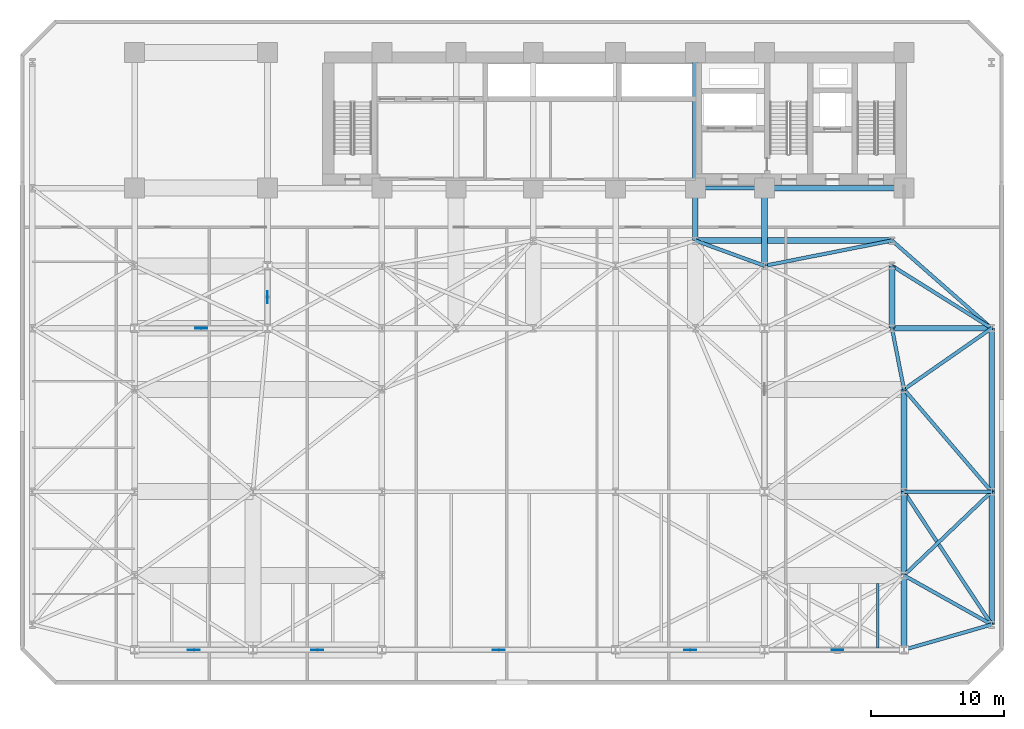
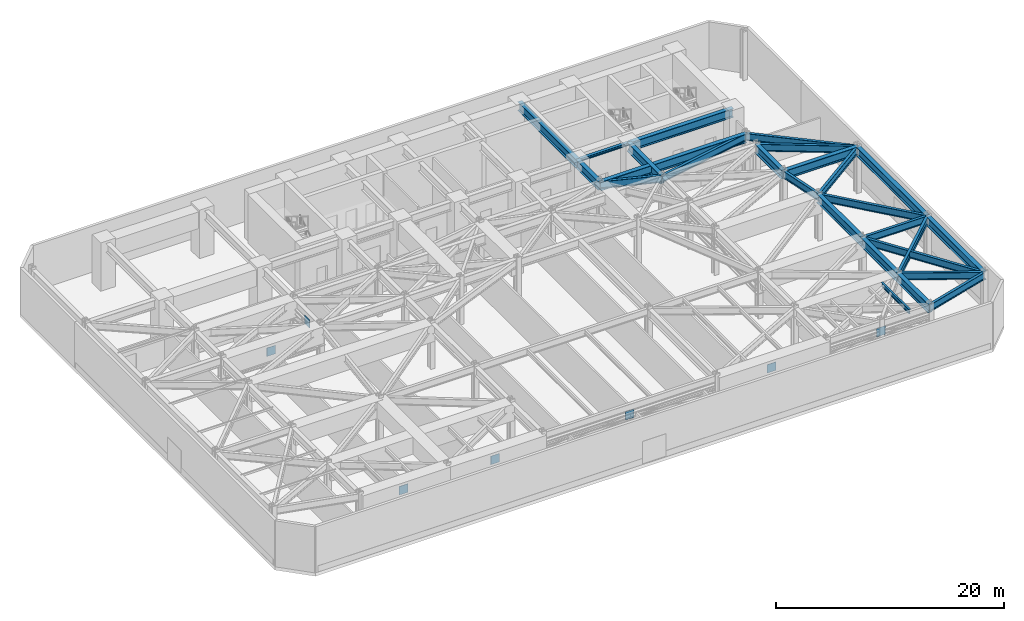
# One storey, part 4 of 14: 26 beams, 7 plates.
"""IFC4 building model written with IfcOpenShell, lengths in metres."""

import ifcopenshell
import ifcopenshell.guid

model = None  # the IFC model being written
_history = None  # IfcOwnerHistory: only IFC2X3 demands one
_inside = {}  # id of a spatial element -> (the spatial element, [elements in it])
_under = {}  # id of a project, library or spatial element -> (it, [spatial elements below it])
_declared = {}  # id of a project -> (the project, [libraries it declares])
_typed = {}  # id of a type object -> (the type object, [elements of that type])
_made_of = {}  # id of a material, layer set ... -> (it, [elements and type objects made of it])


def new_model(schema):
    """Start an empty IFC model of exactly this schema.

    Asked for "IFC4X3", IfcOpenShell would pick the latest addendum, in which some entities
    have other attributes; the version numbers below select the first issue.
    IFC2X3 requires an IfcOwnerHistory on every rooted entity: one is made here for all.
    """
    global model, _history
    if schema == "IFC4X3":
        model = ifcopenshell.file(schema_version=(4, 3, 0, 0))
    else:
        model = ifcopenshell.file(schema=schema)
    _inside.clear()
    _under.clear()
    _declared.clear()
    _typed.clear()
    _made_of.clear()
    _history = None
    if model.schema == "IFC2X3":
        org = make("IfcOrganization", Name="unknown")
        user = make(
            "IfcPersonAndOrganization",
            ThePerson=make("IfcPerson", FamilyName="unknown"),
            TheOrganization=org,
        )
        app = make(
            "IfcApplication",
            ApplicationDeveloper=org,
            Version="unknown",
            ApplicationFullName="unknown",
            ApplicationIdentifier="unknown",
        )
        _history = make(
            "IfcOwnerHistory",
            OwningUser=user,
            OwningApplication=app,
            ChangeAction="ADDED",
            CreationDate=0,
        )
    return model


def make(cls, **values):
    """One entity of the class cls with the attributes given. An attribute that is None is left unset."""
    return model.create_entity(
        cls, **{name: value for name, value in values.items() if value is not None}
    )


def rooted(cls, **values):
    """An entity with a GlobalId (a new one), such as an element, a storey or a relation."""
    return make(cls, GlobalId=ifcopenshell.guid.new(), OwnerHistory=_history, **values)


def si_unit(unit_type, name, prefix=None):
    """IfcSIUnit, for example si_unit("LENGTHUNIT", "METRE", prefix="MILLI")."""
    return make("IfcSIUnit", UnitType=unit_type, Prefix=prefix, Name=name)


def assignment(units):
    """IfcUnitAssignment: the units of a project."""
    return None if units is None else make("IfcUnitAssignment", Units=units)


def point(xyz):
    """IfcCartesianPoint."""
    return None if xyz is None else make("IfcCartesianPoint", Coordinates=xyz)


def direction(xyz):
    """IfcDirection."""
    return None if xyz is None else make("IfcDirection", DirectionRatios=xyz)


def frame(location, z_axis=None, x_axis=None):
    """IfcAxis2Placement3D, a coordinate frame: its origin and axes. An axis left out is left unset."""
    return make(
        "IfcAxis2Placement3D",
        Location=point(location),
        Axis=direction(z_axis),
        RefDirection=direction(x_axis),
    )


def frame_2d(location, x_axis=None):
    """IfcAxis2Placement2D, a coordinate frame in the plane: its origin and x axis."""
    return make(
        "IfcAxis2Placement2D", Location=point(location), RefDirection=direction(x_axis)
    )


def origin():
    """The frame at (0, 0, 0) with its axes left unset."""
    return frame((0.0, 0.0, 0.0))


def origin_2d():
    """The frame at (0, 0) in the plane with its x axis left unset."""
    return frame_2d((0.0, 0.0))


def place(relative_to, where):
    """IfcLocalPlacement: puts the frame where relative to a parent placement (None: the world)."""
    return make(
        "IfcLocalPlacement", PlacementRelTo=relative_to, RelativePlacement=where
    )


def context(
    kind, dimensions, precision=None, world=None, true_north=None, identifier=None
):
    """IfcGeometricRepresentationContext, for example the 3D "Model" context."""
    return make(
        "IfcGeometricRepresentationContext",
        ContextIdentifier=identifier,
        ContextType=kind,
        CoordinateSpaceDimension=dimensions,
        Precision=precision,
        WorldCoordinateSystem=world,
        TrueNorth=true_north,
    )


def subcontext(parent, identifier, kind, view, scale=None):
    """IfcGeometricRepresentationSubContext, for example "Body" below "Model"."""
    return make(
        "IfcGeometricRepresentationSubContext",
        ContextIdentifier=identifier,
        ContextType=kind,
        ParentContext=parent,
        TargetScale=scale,
        TargetView=view,
    )


def project(units=None, contexts=None):
    """IfcProject with its units and contexts."""
    return rooted(
        "IfcProject",
        Name="project",
        RepresentationContexts=contexts,
        UnitsInContext=assignment(units),
    )


def spatial(cls, under=None, at=None, **own):
    """A site, building, storey or space (cls), placed at a placement, below another one or the project."""
    s = rooted(cls, ObjectPlacement=at, **own)
    if under is not None:
        _under.setdefault(under.id(), (under, []))[1].append(s)
    return s


def profile(cls, at=None, kind="AREA", **sizes):
    """A parametric profile (cls). Its sizes go by their IFC names, for example OverallWidth=200.0."""
    return make(cls, ProfileType=kind, Position=at, **sizes)


def rectangle(**sizes):
    """IfcRectangleProfileDef."""
    return profile("IfcRectangleProfileDef", **sizes)


def i_section(**sizes):
    """IfcIShapeProfileDef."""
    return profile("IfcIShapeProfileDef", **sizes)


def extrude(swept, where, along, depth):
    """IfcExtrudedAreaSolid: the profile swept, set in the frame where, extruded along a direction by depth."""
    return make(
        "IfcExtrudedAreaSolid",
        SweptArea=swept,
        Position=where,
        ExtrudedDirection=direction(along),
        Depth=depth,
    )


def shape(context_of_items, identifier, shape_type, items):
    """IfcShapeRepresentation: the items that make up one representation, for example the "Body"."""
    return make(
        "IfcShapeRepresentation",
        ContextOfItems=context_of_items,
        RepresentationIdentifier=identifier,
        RepresentationType=shape_type,
        Items=items,
    )


def material(Name=None, Category=None):
    """IfcMaterial."""
    return make("IfcMaterial", Name=Name, Category=Category)


def layer(
    of_material, thickness, ventilated=None, Name=None, Category=None, Priority=None
):
    """IfcMaterialLayer: one layer of a wall or slab, of a material (None: an air gap)."""
    return make(
        "IfcMaterialLayer",
        Material=of_material,
        LayerThickness=thickness,
        IsVentilated=ventilated,
        Name=Name,
        Category=Category,
        Priority=Priority,
    )


def layer_set(layers, Name=None):
    """IfcMaterialLayerSet."""
    return make("IfcMaterialLayerSet", MaterialLayers=layers, LayerSetName=Name)


def material_profile(
    of_material, cross_section, Name=None, Category=None, Priority=None
):
    """IfcMaterialProfile: a cross section and its material."""
    return make(
        "IfcMaterialProfile",
        Name=Name,
        Material=of_material,
        Profile=cross_section,
        Priority=Priority,
        Category=Category,
    )


def profile_set(profiles, Name=None, composite=None):
    """IfcMaterialProfileSet."""
    return make(
        "IfcMaterialProfileSet",
        Name=Name,
        MaterialProfiles=profiles,
        CompositeProfile=composite,
    )


def made_of(thing, what):
    """Note that an element or type object is made of a material, layer set ...; save() writes the relation."""
    if what is not None:
        _made_of.setdefault(what.id(), (what, []))[1].append(thing)
    return thing


def type_object(cls, material=None, **own):
    """A type object (cls), such as IfcWallType, which elements share."""
    return made_of(rooted(cls, **own), material)


def element(
    cls,
    number,
    at=None,
    inside=None,
    cuts=None,
    type_object=None,
    material=None,
    context=None,
    identifier="Body",
    shape_type=None,
    held_by="IfcProductDefinitionShape",
    body=None,
    shapes=None,
    **own,
):
    """One element of the class cls, such as IfcWall. Its Tag is "e" and its number.

    at: its placement. inside: the storey or other place that contains it. cuts: it is an
    opening in that element (IfcRelVoidsElement). A single representation is given by context,
    identifier, shape_type and body (its items); several are given by shapes. held_by: the class
    of the entity that holds the representations. save() writes the other relations.
    """
    e = rooted(cls, Tag="e%d" % number, ObjectPlacement=at, **own)
    if body is not None:
        shapes = [shape(context, identifier, shape_type, body)]
    if shapes is not None:
        e.Representation = make(held_by, Representations=shapes)
    if inside is not None:
        _inside.setdefault(inside.id(), (inside, []))[1].append(e)
    if cuts is not None:
        rooted(
            "IfcRelVoidsElement", RelatingBuildingElement=cuts, RelatedOpeningElement=e
        )
    if type_object is not None:
        _typed.setdefault(type_object.id(), (type_object, []))[1].append(e)
    return made_of(e, material)


def aggregate(whole, parts):
    """IfcRelAggregates: a whole, such as a stair, and the parts it consists of."""
    return rooted("IfcRelAggregates", RelatingObject=whole, RelatedObjects=parts)


def save(model, path):
    """Write the relations noted so far, then the file.

    IfcRelAggregates (storeys below a building ...), IfcRelContainedInSpatialStructure (elements
    in a storey), IfcRelDefinesByType, IfcRelAssociatesMaterial and IfcRelDeclares: one each for
    every whole, place, type object, material and project.
    """
    for whole, parts in _under.values():
        aggregate(whole, parts)
    for where, things in _inside.values():
        rooted(
            "IfcRelContainedInSpatialStructure",
            RelatedElements=things,
            RelatingStructure=where,
        )
    for kind, things in _typed.values():
        rooted("IfcRelDefinesByType", RelatedObjects=things, RelatingType=kind)
    for what, things in _made_of.values():
        rooted("IfcRelAssociatesMaterial", RelatedObjects=things, RelatingMaterial=what)
    for by, libraries in _declared.values():
        rooted("IfcRelDeclares", RelatingContext=by, RelatedDefinitions=libraries)
    model.write(path)


model = new_model("IFC4")

# Units and contexts
model_context = context("Model", 3, precision=1e-05, world=origin(), true_north=direction((0.0, 1.0)))
body_context = subcontext(model_context, "Body", "Model", "MODEL_VIEW")
ifc_project = project(units=[si_unit("LENGTHUNIT", "METRE"), si_unit("AREAUNIT", "SQUARE_METRE"), si_unit("VOLUMEUNIT", "CUBIC_METRE"), si_unit("PLANEANGLEUNIT", "RADIAN"), si_unit("MASSUNIT", "GRAM", prefix="KILO")], contexts=[model_context])

# Site, building, storey
site_placement = place(None, origin())
site = spatial("IfcSite", under=ifc_project, at=site_placement, CompositionType="ELEMENT")
building_placement = place(site_placement, origin())
building = spatial("IfcBuilding", under=site, at=building_placement, Name="Kravanh Interchange Tower", CompositionType="ELEMENT")
storey_placement = place(building_placement, frame((0.0, 0.0, 24.300048828125)))
storey = spatial("IfcBuildingStorey", under=building, at=storey_placement, Name="L05", CompositionType="ELEMENT", Elevation=24.300048828125)

# Beams
ifc_material_1 = material(Name="Structural Steel S450", Category="steel")
ifc_material_profile_1 = material_profile(ifc_material_1, i_section(OverallWidth=0.423095703125, OverallDepth=0.947998046875, WebThickness=0.02392578125, FlangeThickness=0.042724609375, FilletRadius=0.028076171875, at=origin_2d()), Name="W36X302")
ifc_profile_set_1 = profile_set([ifc_material_profile_1], Name="Structural Steel S450")
beam_type_1 = type_object("IfcBeamType", Name="Floor Beam W36X302 Structural Steel S450", PredefinedType="BEAM", material=ifc_profile_set_1)
beam_1_placement = place(storey_placement, frame((66.5, 2.60009765625, 4.466064453125), z_axis=(0.0, 1.0, 0.0), x_axis=(-1.0, 0.0, 0.0)))
element("IfcBeam", 1, at=beam_1_placement, inside=storey, type_object=beam_type_1, Name="L05 Primary Floor Girder 20", PredefinedType="BEAM", context=body_context, shape_type="SweptSolid", body=[
    extrude(i_section(OverallWidth=0.423095703125, OverallDepth=0.947998046875, WebThickness=0.02392578125, FlangeThickness=0.042724609375, FilletRadius=0.028076171875, at=origin_2d()), origin(), (0.0, 0.0, 1.0), 5.599853515625),
])
beam_2_placement = place(storey_placement, frame((66.5, 8.199951171875, 4.466064453125), z_axis=(0.0, 1.0, 0.0), x_axis=(-1.0, 0.0, 0.0)))
element("IfcBeam", 2, at=beam_2_placement, inside=storey, type_object=beam_type_1, Name="L05 Primary Floor Girder 33", PredefinedType="BEAM", context=body_context, shape_type="SweptSolid", body=[
    extrude(i_section(OverallWidth=0.423095703125, OverallDepth=0.947998046875, WebThickness=0.02392578125, FlangeThickness=0.042724609375, FilletRadius=0.028076171875, at=origin_2d()), origin(), (0.0, 0.0, 1.0), 6.300048828125),
])
beam_3_placement = place(storey_placement, frame((66.5, 14.5, 4.466064453125), z_axis=(0.0, 1.0, 0.0), x_axis=(-1.0, 0.0, 0.0)))
element("IfcBeam", 3, at=beam_3_placement, inside=storey, type_object=beam_type_1, Name="L05 Primary Floor Girder 54", PredefinedType="BEAM", context=body_context, shape_type="SweptSolid", body=[
    extrude(i_section(OverallWidth=0.423095703125, OverallDepth=0.947998046875, WebThickness=0.02392578125, FlangeThickness=0.042724609375, FilletRadius=0.028076171875, at=origin_2d()), origin(), (0.0, 0.0, 1.0), 7.699951171875),
])
beam_4_placement = place(storey_placement, frame((65.60009765625, 26.800048828125, 4.466064453125), z_axis=(0.0, 1.0, 0.0), x_axis=(-1.0, 0.0, 0.0)))
element("IfcBeam", 4, at=beam_4_placement, inside=storey, type_object=beam_type_1, Name="L05 Primary Floor Girder 101", PredefinedType="BEAM", context=body_context, shape_type="SweptSolid", body=[
    extrude(i_section(OverallWidth=0.423095703125, OverallDepth=0.947998046875, WebThickness=0.02392578125, FlangeThickness=0.042724609375, FilletRadius=0.028076171875, at=origin_2d()), origin(), (0.0, 0.0, 1.0), 4.699951171875),
])
beam_5_placement = place(storey_placement, frame((65.60009765625, 26.800048828125, 4.466064453125), z_axis=(1.0, 0.0, 0.0), x_axis=(0.0, 1.0, 0.0)))
element("IfcBeam", 5, at=beam_5_placement, inside=storey, type_object=beam_type_1, Name="L05 Primary Floor Girder 102", PredefinedType="BEAM", context=body_context, shape_type="SweptSolid", body=[
    extrude(i_section(OverallWidth=0.423095703125, OverallDepth=0.947998046875, WebThickness=0.02392578125, FlangeThickness=0.042724609375, FilletRadius=0.028076171875, at=origin_2d()), origin(), (0.0, 0.0, 1.0), 7.5),
])
beam_6_placement = place(storey_placement, frame((56.0, 31.5, 4.466064453125), z_axis=(0.0, 1.0, 0.0), x_axis=(-1.0, 0.0, 0.0)))
element("IfcBeam", 6, at=beam_6_placement, inside=storey, type_object=beam_type_1, Name="L05 Primary Floor Girder 118", PredefinedType="BEAM", context=body_context, shape_type="SweptSolid", body=[
    extrude(i_section(OverallWidth=0.423095703125, OverallDepth=0.947998046875, WebThickness=0.02392578125, FlangeThickness=0.042724609375, FilletRadius=0.028076171875, at=origin_2d()), origin(), (0.0, 0.0, 1.0), 5.85009765625),
])
beam_7_placement = place(storey_placement, frame((73.10009765625, 4.5, 4.466064453125), z_axis=(0.0, 1.0, 0.0), x_axis=(-1.0, 0.0, 0.0)))
element("IfcBeam", 7, at=beam_7_placement, inside=storey, type_object=beam_type_1, Name="L05 Primary Floor Girder 127", PredefinedType="BEAM", context=body_context, shape_type="SweptSolid", body=[
    extrude(i_section(OverallWidth=0.423095703125, OverallDepth=0.947998046875, WebThickness=0.02392578125, FlangeThickness=0.042724609375, FilletRadius=0.028076171875, at=origin_2d()), origin(), (0.0, 0.0, 1.0), 10.0),
])
beam_8_placement = place(storey_placement, frame((73.10009765625, 14.5, 4.466064453125), z_axis=(0.0, 1.0, 0.0), x_axis=(-1.0, 0.0, 0.0)))
element("IfcBeam", 8, at=beam_8_placement, inside=storey, type_object=beam_type_1, Name="L05 Primary Floor Girder 128", PredefinedType="BEAM", context=body_context, shape_type="SweptSolid", body=[
    extrude(i_section(OverallWidth=0.423095703125, OverallDepth=0.947998046875, WebThickness=0.02392578125, FlangeThickness=0.042724609375, FilletRadius=0.028076171875, at=origin_2d()), origin(), (0.0, 0.0, 1.0), 12.300048828125),
])
beam_9_placement = place(storey_placement, frame((50.800048828125, 33.39990234375, 4.466064453125), z_axis=(0.0, 1.0, 0.0), x_axis=(-1.0, 0.0, 0.0)))
element("IfcBeam", 9, at=beam_9_placement, inside=storey, type_object=beam_type_1, Name="L05 Primary Floor Girder 132", PredefinedType="BEAM", context=body_context, shape_type="SweptSolid", body=[
    extrude(i_section(OverallWidth=0.423095703125, OverallDepth=0.947998046875, WebThickness=0.02392578125, FlangeThickness=0.042724609375, FilletRadius=0.028076171875, at=origin_2d()), origin(), (0.0, 0.0, 1.0), 3.9501953125),
])
beam_10_placement = place(storey_placement, frame((50.800048828125, 33.39990234375, 4.466064453125), z_axis=(1.0, 0.0, 0.0), x_axis=(0.0, 1.0, 0.0)))
element("IfcBeam", 10, at=beam_10_placement, inside=storey, type_object=beam_type_1, Name="L05 Primary Floor Girder 133", PredefinedType="BEAM", context=body_context, shape_type="SweptSolid", body=[
    extrude(i_section(OverallWidth=0.423095703125, OverallDepth=0.947998046875, WebThickness=0.02392578125, FlangeThickness=0.042724609375, FilletRadius=0.028076171875, at=origin_2d()), origin(), (0.0, 0.0, 1.0), 14.800048828125),
])
beam_11_placement = place(storey_placement, frame((66.5, 37.35009765625, 4.466064453125), z_axis=(-1.0, 0.0, 0.0), x_axis=(0.0, -1.0, 0.0)))
element("IfcBeam", 11, at=beam_11_placement, inside=storey, type_object=beam_type_1, Name="L05 Primary Floor Girder 138", PredefinedType="BEAM", context=body_context, shape_type="SweptSolid", body=[
    extrude(i_section(OverallWidth=0.423095703125, OverallDepth=0.947998046875, WebThickness=0.02392578125, FlangeThickness=0.042724609375, FilletRadius=0.028076171875, at=origin_2d()), origin(), (0.0, 0.0, 1.0), 10.5),
])
beam_12_placement = place(storey_placement, frame((50.800048828125, 47.550048828125, 4.466064453125), z_axis=(0.0, -1.0, 0.0), x_axis=(1.0, 0.0, 0.0)))
element("IfcBeam", 12, at=beam_12_placement, inside=storey, type_object=beam_type_1, Name="L05 Primary Floor Girder 141", PredefinedType="BEAM", context=body_context, shape_type="SweptSolid", body=[
    extrude(i_section(OverallWidth=0.423095703125, OverallDepth=0.947998046875, WebThickness=0.02392578125, FlangeThickness=0.042724609375, FilletRadius=0.028076171875, at=origin_2d()), origin(), (0.0, 0.0, 1.0), 10.199951171875),
])
ifc_material_2 = material(Name="Structural Steel S355", Category="steel")
ifc_material_profile_2 = material_profile(ifc_material_2, i_section(OverallWidth=0.18994140625, OverallDepth=0.45703125, WebThickness=0.009033203125, FlangeThickness=0.014404296875, FilletRadius=0.01806640625, at=origin_2d()), Name="W18X50")
ifc_profile_set_2 = profile_set([ifc_material_profile_2], Name="Structural Steel S355")
beam_type_2 = type_object("IfcBeamType", Name="Floor Joist W18X50 Structural Steel S355", PredefinedType="JOIST", material=ifc_profile_set_2)
beam_13_placement = place(storey_placement, frame((64.51806640625, 2.728515625, 4.71142578125), z_axis=(0.0, 1.0, 0.0), x_axis=(-1.0, 0.0, 0.0)))
element("IfcBeam", 13, at=beam_13_placement, inside=storey, type_object=beam_type_2, Name="L05 Secondary Floor Joist 12", PredefinedType="JOIST", context=body_context, shape_type="SweptSolid", body=[
    extrude(i_section(OverallWidth=0.18994140625, OverallDepth=0.45703125, WebThickness=0.009033203125, FlangeThickness=0.014404296875, FilletRadius=0.01806640625, at=origin_2d()), origin(), (0.0, 0.0, 1.0), 4.87646484375),
])
ifc_material_3 = material(Name="Structural Steel S355", Category="steel")
ifc_material_profile_3 = material_profile(ifc_material_3, i_section(OverallWidth=0.304931640625, OverallDepth=0.306884765625, WebThickness=0.010009765625, FlangeThickness=0.015380859375, FilletRadius=0.014892578125, at=origin_2d()), Name="W12X65")
ifc_profile_set_3 = profile_set([ifc_material_profile_3], Name="Structural Steel S355")
beam_type_3 = type_object("IfcBeamType", Name="Floor Lintel W12X65 Structural Steel S355", PredefinedType="LINTEL", material=ifc_profile_set_3)
beam_14_placement = place(storey_placement, frame((50.800048828125, 37.35009765625, 4.786376953125), z_axis=(1.0, 0.0, 0.0), x_axis=(0.0, 1.0, 0.0)))
element("IfcBeam", 14, at=beam_14_placement, inside=storey, type_object=beam_type_3, Name="L05 Core Coupling Lintel 1", PredefinedType="LINTEL", context=body_context, shape_type="SweptSolid", body=[
    extrude(i_section(OverallWidth=0.304931640625, OverallDepth=0.306884765625, WebThickness=0.010009765625, FlangeThickness=0.015380859375, FilletRadius=0.014892578125, at=origin_2d()), origin(), (0.0, 0.0, 1.0), 5.199951171875),
])
ifc_material_4 = material(Name="Structural Steel S355", Category="steel")
ifc_material_profile_4 = material_profile(ifc_material_4, i_section(OverallWidth=0.26708984375, OverallDepth=0.761962890625, WebThickness=0.014404296875, FlangeThickness=0.021484375, FilletRadius=0.02490234375, at=origin_2d()), Name="W30X116")
ifc_profile_set_4 = profile_set([ifc_material_profile_4], Name="Structural Steel S355")
beam_type_4 = type_object("IfcBeamType", Name="Floor Spandrel W30X116 Structural Steel S355", PredefinedType="SPANDREL", material=ifc_profile_set_4)
beam_15_placement = place(storey_placement, frame((66.5, 2.60009765625, 4.558837890625), z_axis=(0.960977451506, 0.27662671183, 0.0), x_axis=(-0.27662671183, 0.960977451506, 0.0)))
element("IfcBeam", 15, at=beam_15_placement, inside=storey, type_object=beam_type_4, Name="L05 Perimeter Spandrel 21", PredefinedType="SPANDREL", context=body_context, shape_type="SweptSolid", body=[
    extrude(i_section(OverallWidth=0.26708984375, OverallDepth=0.761962890625, WebThickness=0.014404296875, FlangeThickness=0.021484375, FilletRadius=0.02490234375, at=origin_2d()), origin(), (0.0, 0.0, 1.0), 6.8681640625),
])
beam_16_placement = place(storey_placement, frame((66.5, 8.199951171875, 4.558837890625), z_axis=(0.872286391466, -0.488995348918, 0.0), x_axis=(0.488995348918, 0.872286391466, 0.0)))
element("IfcBeam", 16, at=beam_16_placement, inside=storey, type_object=beam_type_4, Name="L05 Perimeter Spandrel 34", PredefinedType="SPANDREL", context=body_context, shape_type="SweptSolid", body=[
    extrude(i_section(OverallWidth=0.26708984375, OverallDepth=0.761962890625, WebThickness=0.014404296875, FlangeThickness=0.021484375, FilletRadius=0.02490234375, at=origin_2d()), origin(), (0.0, 0.0, 1.0), 7.56640625),
])
beam_17_placement = place(storey_placement, frame((66.5, 8.199951171875, 4.558837890625), z_axis=(0.723357973995, 0.690473201115, 0.0), x_axis=(-0.690473201115, 0.723357973995, 0.0)))
element("IfcBeam", 17, at=beam_17_placement, inside=storey, type_object=beam_type_4, Name="L05 Perimeter Spandrel 35", PredefinedType="SPANDREL", context=body_context, shape_type="SweptSolid", body=[
    extrude(i_section(OverallWidth=0.26708984375, OverallDepth=0.761962890625, WebThickness=0.014404296875, FlangeThickness=0.021484375, FilletRadius=0.02490234375, at=origin_2d()), origin(), (0.0, 0.0, 1.0), 9.124267578125),
])
beam_18_placement = place(storey_placement, frame((66.5, 14.5, 4.558837890625), z_axis=(1.0, 0.0, 0.0), x_axis=(0.0, 1.0, 0.0)))
element("IfcBeam", 18, at=beam_18_placement, inside=storey, type_object=beam_type_4, Name="L05 Perimeter Spandrel 53", PredefinedType="SPANDREL", context=body_context, shape_type="SweptSolid", body=[
    extrude(i_section(OverallWidth=0.26708984375, OverallDepth=0.761962890625, WebThickness=0.014404296875, FlangeThickness=0.021484375, FilletRadius=0.02490234375, at=origin_2d()), origin(), (0.0, 0.0, 1.0), 6.60009765625),
])
beam_19_placement = place(storey_placement, frame((66.5, 14.5, 4.558837890625), z_axis=(0.550847885697, -0.834605659472, 0.0), x_axis=(0.834605659472, 0.550847885697, 0.0)))
element("IfcBeam", 19, at=beam_19_placement, inside=storey, type_object=beam_type_4, Name="L05 Perimeter Spandrel 55", PredefinedType="SPANDREL", context=body_context, shape_type="SweptSolid", body=[
    extrude(i_section(OverallWidth=0.26708984375, OverallDepth=0.761962890625, WebThickness=0.014404296875, FlangeThickness=0.021484375, FilletRadius=0.02490234375, at=origin_2d()), origin(), (0.0, 0.0, 1.0), 11.981689453125),
])
beam_20_placement = place(storey_placement, frame((66.5, 22.199951171875, 4.558837890625), z_axis=(-0.191987614224, 0.981397348674, 0.0), x_axis=(-0.981397348674, -0.191987614224, 0.0)))
element("IfcBeam", 20, at=beam_20_placement, inside=storey, type_object=beam_type_4, Name="L05 Perimeter Spandrel 69", PredefinedType="SPANDREL", context=body_context, shape_type="SweptSolid", body=[
    extrude(i_section(OverallWidth=0.26708984375, OverallDepth=0.761962890625, WebThickness=0.014404296875, FlangeThickness=0.021484375, FilletRadius=0.02490234375, at=origin_2d()), origin(), (0.0, 0.0, 1.0), 4.687255859375),
])
beam_21_placement = place(storey_placement, frame((66.5, 22.199951171875, 4.558837890625), z_axis=(0.820396441235, 0.571795137447, 0.0), x_axis=(-0.571795137447, 0.820396441235, 0.0)))
element("IfcBeam", 21, at=beam_21_placement, inside=storey, type_object=beam_type_4, Name="L05 Perimeter Spandrel 70", PredefinedType="SPANDREL", context=body_context, shape_type="SweptSolid", body=[
    extrude(i_section(OverallWidth=0.26708984375, OverallDepth=0.761962890625, WebThickness=0.014404296875, FlangeThickness=0.021484375, FilletRadius=0.02490234375, at=origin_2d()), origin(), (0.0, 0.0, 1.0), 8.044921875),
])
beam_22_placement = place(storey_placement, frame((66.5, 22.199951171875, 4.558837890625), z_axis=(0.65079930347, -0.759249805139, 0.0), x_axis=(0.759249805139, 0.65079930347, 0.0)))
element("IfcBeam", 22, at=beam_22_placement, inside=storey, type_object=beam_type_4, Name="L05 Perimeter Spandrel 72", PredefinedType="SPANDREL", context=body_context, shape_type="SweptSolid", body=[
    extrude(i_section(OverallWidth=0.26708984375, OverallDepth=0.761962890625, WebThickness=0.014404296875, FlangeThickness=0.021484375, FilletRadius=0.02490234375, at=origin_2d()), origin(), (0.0, 0.0, 1.0), 10.1416015625),
])
beam_23_placement = place(storey_placement, frame((56.0, 31.5, 4.558837890625), z_axis=(-0.93926957103, 0.343180233896, 0.0), x_axis=(-0.343180233896, -0.93926957103, 0.0)))
element("IfcBeam", 23, at=beam_23_placement, inside=storey, type_object=beam_type_4, Name="L05 Perimeter Spandrel 117", PredefinedType="SPANDREL", context=body_context, shape_type="SweptSolid", body=[
    extrude(i_section(OverallWidth=0.26708984375, OverallDepth=0.761962890625, WebThickness=0.014404296875, FlangeThickness=0.021484375, FilletRadius=0.02490234375, at=origin_2d()), origin(), (0.0, 0.0, 1.0), 5.5361328125),
])
beam_24_placement = place(storey_placement, frame((56.0, 31.5, 4.558837890625), z_axis=(0.980974000807, 0.194139150457, 0.0), x_axis=(-0.194139150457, 0.980974000807, 0.0)))
element("IfcBeam", 24, at=beam_24_placement, inside=storey, type_object=beam_type_4, Name="L05 Perimeter Spandrel 120", PredefinedType="SPANDREL", context=body_context, shape_type="SweptSolid", body=[
    extrude(i_section(OverallWidth=0.26708984375, OverallDepth=0.761962890625, WebThickness=0.014404296875, FlangeThickness=0.021484375, FilletRadius=0.02490234375, at=origin_2d()), origin(), (0.0, 0.0, 1.0), 9.786376953125),
])
beam_25_placement = place(storey_placement, frame((65.60009765625, 31.5, 4.558837890625), z_axis=(0.847365449363, -0.531010164899, 0.0), x_axis=(0.531010164899, 0.847365449363, 0.0)))
element("IfcBeam", 25, at=beam_25_placement, inside=storey, type_object=beam_type_4, Name="L05 Perimeter Spandrel 121", PredefinedType="SPANDREL", context=body_context, shape_type="SweptSolid", body=[
    extrude(i_section(OverallWidth=0.26708984375, OverallDepth=0.761962890625, WebThickness=0.014404296875, FlangeThickness=0.021484375, FilletRadius=0.02490234375, at=origin_2d()), origin(), (0.0, 0.0, 1.0), 8.85107421875),
])
beam_26_placement = place(storey_placement, frame((73.10009765625, 26.800048828125, 4.558837890625), z_axis=(-0.750720788639, 0.660619631487, 0.0), x_axis=(-0.660619631487, -0.750720788639, 0.0)))
element("IfcBeam", 26, at=beam_26_placement, inside=storey, type_object=beam_type_4, Name="L05 Perimeter Spandrel 129", PredefinedType="SPANDREL", context=body_context, shape_type="SweptSolid", body=[
    extrude(i_section(OverallWidth=0.26708984375, OverallDepth=0.761962890625, WebThickness=0.014404296875, FlangeThickness=0.021484375, FilletRadius=0.02490234375, at=origin_2d()), origin(), (0.0, 0.0, 1.0), 9.990478515625),
])

# Plates
ifc_material_5 = material(Name="Structural Steel S450", Category="steel")
ifc_layer = layer(ifc_material_5, 0.0400390625)
ifc_layer_set = layer_set([ifc_layer], Name="Outrigger Gusset Plate Structural Steel S450 40mm")
plate_type = type_object("IfcPlateType", Name="Outrigger Gusset Plate Structural Steel S450 40mm", PredefinedType="USERDEFINED", material=ifc_layer_set)
for number, where, z_axis, x_axis, name in (
    (27, (13.050048828125, 2.60009765625, 3.2919921875), (0.0, 0.0, 1.0), (1.0, 0.0, 0.0), "L05 Transfer Truss Apex Gusset Plate 1"),
    (28, (22.35009765625, 2.60009765625, 3.2919921875), (0.0, 0.0, 1.0), (1.0, 0.0, 0.0), "L05 Transfer Truss Apex Gusset Plate 2"),
    (29, (36.0, 2.60009765625, 3.2919921875), (0.0, 0.0, 1.0), (1.0, 0.0, 0.0), "L05 Transfer Truss Apex Gusset Plate 3"),
    (30, (50.39990234375, 2.60009765625, 3.2919921875), (0.0, 0.0, 1.0), (1.0, 0.0, 0.0), "L05 Transfer Truss Apex Gusset Plate 4"),
    (31, (61.5, 2.60009765625, 3.2919921875), (0.0, 0.0, 1.0), (1.0, 0.0, 0.0), "L05 Transfer Truss Apex Gusset Plate 5"),
    (32, (18.60009765625, 29.14990234375, 3.2919921875), (0.0, 0.0, 1.0), (0.0, 1.0, 0.0), "L05 Transfer Truss Apex Gusset Plate 6"),
    (33, (13.60009765625, 26.800048828125, 3.2919921875), (0.0, 0.0, 1.0), (1.0, 0.0, 0.0), "L05 Transfer Truss Apex Gusset Plate 8"),
):
    element("IfcPlate", number, at=place(storey_placement, frame(where, z_axis=z_axis, x_axis=x_axis)), inside=storey, type_object=plate_type, Name=name, ObjectType="GUSSET PLATE", PredefinedType="USERDEFINED", context=body_context, shape_type="SweptSolid", body=[
        extrude(rectangle(XDim=0.89990234375, YDim=0.0400390625, at=origin_2d()), origin(), (0.0, 0.0, 1.0), 0.89990234375),
    ])

save(model, "model.ifc")
